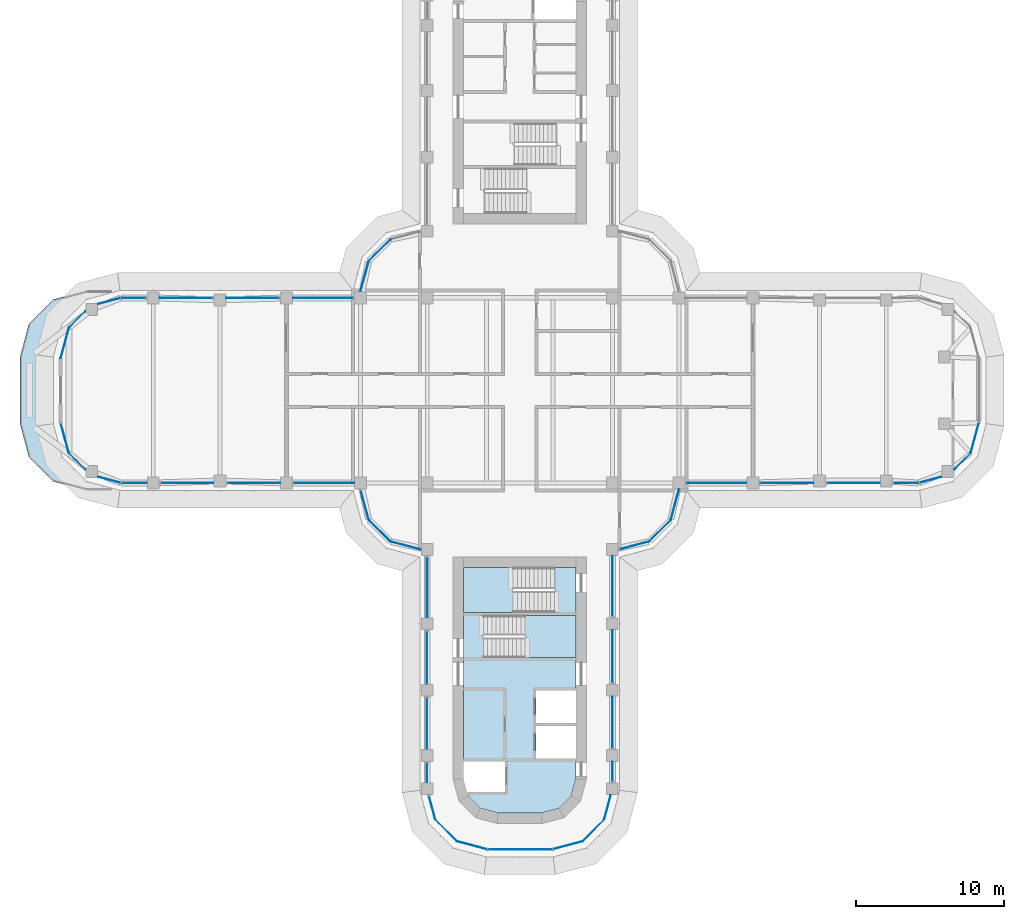
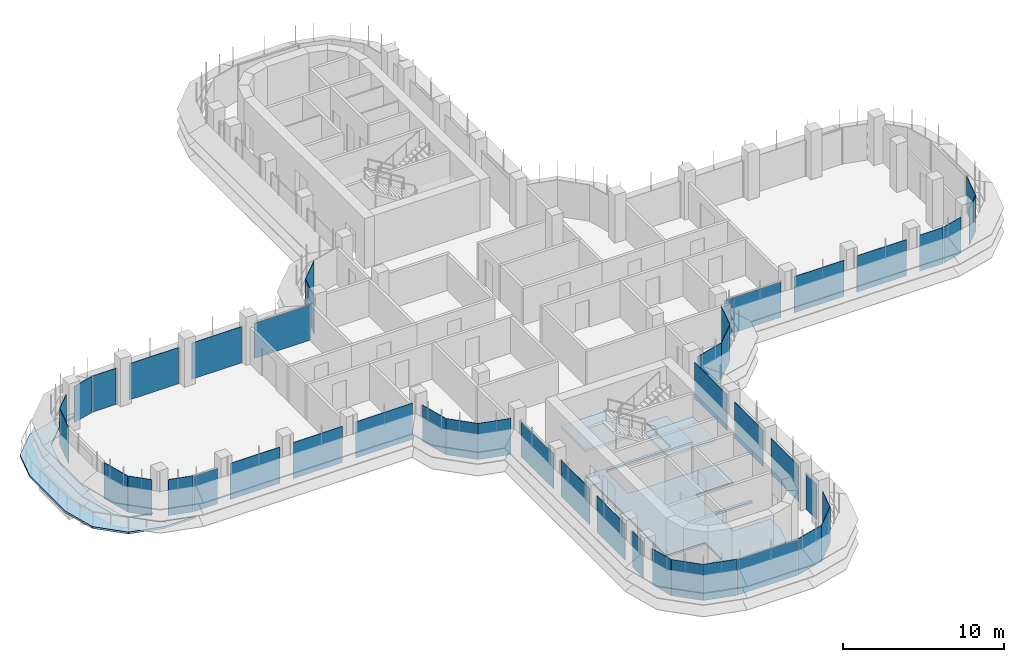
# One storey, part 12 of 20: 44 plates, 4 slabs, 31 elements without a shape of their own.
"""IFC4 building model written with IfcOpenShell, lengths in metres."""

import ifcopenshell
import ifcopenshell.guid

model = None  # the IFC model being written
_history = None  # IfcOwnerHistory: only IFC2X3 demands one
_inside = {}  # id of a spatial element -> (the spatial element, [elements in it])
_under = {}  # id of a project, library or spatial element -> (it, [spatial elements below it])
_declared = {}  # id of a project -> (the project, [libraries it declares])
_typed = {}  # id of a type object -> (the type object, [elements of that type])
_made_of = {}  # id of a material, layer set ... -> (it, [elements and type objects made of it])


def new_model(schema):
    """Start an empty IFC model of exactly this schema.

    Asked for "IFC4X3", IfcOpenShell would pick the latest addendum, in which some entities
    have other attributes; the version numbers below select the first issue.
    IFC2X3 requires an IfcOwnerHistory on every rooted entity: one is made here for all.
    """
    global model, _history
    if schema == "IFC4X3":
        model = ifcopenshell.file(schema_version=(4, 3, 0, 0))
    else:
        model = ifcopenshell.file(schema=schema)
    _inside.clear()
    _under.clear()
    _declared.clear()
    _typed.clear()
    _made_of.clear()
    _history = None
    if model.schema == "IFC2X3":
        org = make("IfcOrganization", Name="unknown")
        user = make(
            "IfcPersonAndOrganization",
            ThePerson=make("IfcPerson", FamilyName="unknown"),
            TheOrganization=org,
        )
        app = make(
            "IfcApplication",
            ApplicationDeveloper=org,
            Version="unknown",
            ApplicationFullName="unknown",
            ApplicationIdentifier="unknown",
        )
        _history = make(
            "IfcOwnerHistory",
            OwningUser=user,
            OwningApplication=app,
            ChangeAction="ADDED",
            CreationDate=0,
        )
    return model


def make(cls, **values):
    """One entity of the class cls with the attributes given. An attribute that is None is left unset."""
    return model.create_entity(
        cls, **{name: value for name, value in values.items() if value is not None}
    )


def rooted(cls, **values):
    """An entity with a GlobalId (a new one), such as an element, a storey or a relation."""
    return make(cls, GlobalId=ifcopenshell.guid.new(), OwnerHistory=_history, **values)


def si_unit(unit_type, name, prefix=None):
    """IfcSIUnit, for example si_unit("LENGTHUNIT", "METRE", prefix="MILLI")."""
    return make("IfcSIUnit", UnitType=unit_type, Prefix=prefix, Name=name)


def assignment(units):
    """IfcUnitAssignment: the units of a project."""
    return None if units is None else make("IfcUnitAssignment", Units=units)


def point(xyz):
    """IfcCartesianPoint."""
    return None if xyz is None else make("IfcCartesianPoint", Coordinates=xyz)


def direction(xyz):
    """IfcDirection."""
    return None if xyz is None else make("IfcDirection", DirectionRatios=xyz)


def frame(location, z_axis=None, x_axis=None):
    """IfcAxis2Placement3D, a coordinate frame: its origin and axes. An axis left out is left unset."""
    return make(
        "IfcAxis2Placement3D",
        Location=point(location),
        Axis=direction(z_axis),
        RefDirection=direction(x_axis),
    )


def origin():
    """The frame at (0, 0, 0) with its axes left unset."""
    return frame((0.0, 0.0, 0.0))


def place(relative_to, where):
    """IfcLocalPlacement: puts the frame where relative to a parent placement (None: the world)."""
    return make(
        "IfcLocalPlacement", PlacementRelTo=relative_to, RelativePlacement=where
    )


def context(
    kind, dimensions, precision=None, world=None, true_north=None, identifier=None
):
    """IfcGeometricRepresentationContext, for example the 3D "Model" context."""
    return make(
        "IfcGeometricRepresentationContext",
        ContextIdentifier=identifier,
        ContextType=kind,
        CoordinateSpaceDimension=dimensions,
        Precision=precision,
        WorldCoordinateSystem=world,
        TrueNorth=true_north,
    )


def subcontext(parent, identifier, kind, view, scale=None):
    """IfcGeometricRepresentationSubContext, for example "Body" below "Model"."""
    return make(
        "IfcGeometricRepresentationSubContext",
        ContextIdentifier=identifier,
        ContextType=kind,
        ParentContext=parent,
        TargetScale=scale,
        TargetView=view,
    )


def project(units=None, contexts=None):
    """IfcProject with its units and contexts."""
    return rooted(
        "IfcProject",
        Name="project",
        RepresentationContexts=contexts,
        UnitsInContext=assignment(units),
    )


def spatial(cls, under=None, at=None, **own):
    """A site, building, storey or space (cls), placed at a placement, below another one or the project."""
    s = rooted(cls, ObjectPlacement=at, **own)
    if under is not None:
        _under.setdefault(under.id(), (under, []))[1].append(s)
    return s


def polyline(points):
    """IfcPolyline through the points."""
    return make("IfcPolyline", Points=[point(p) for p in points])


def outline(outer, holes=None, kind="AREA"):
    """IfcArbitraryClosedProfileDef: a profile drawn as a closed curve; with holes, ...WithVoids."""
    if holes is None:
        return make("IfcArbitraryClosedProfileDef", ProfileType=kind, OuterCurve=outer)
    return make(
        "IfcArbitraryProfileDefWithVoids",
        ProfileType=kind,
        OuterCurve=outer,
        InnerCurves=holes,
    )


def extrude(swept, where, along, depth):
    """IfcExtrudedAreaSolid: the profile swept, set in the frame where, extruded along a direction by depth."""
    return make(
        "IfcExtrudedAreaSolid",
        SweptArea=swept,
        Position=where,
        ExtrudedDirection=direction(along),
        Depth=depth,
    )


def shape(context_of_items, identifier, shape_type, items):
    """IfcShapeRepresentation: the items that make up one representation, for example the "Body"."""
    return make(
        "IfcShapeRepresentation",
        ContextOfItems=context_of_items,
        RepresentationIdentifier=identifier,
        RepresentationType=shape_type,
        Items=items,
    )


def source(mapping_origin, context_of_items, identifier, shape_type, items):
    """IfcRepresentationMap: a shape defined once, which mapped items show again and again."""
    return make(
        "IfcRepresentationMap",
        MappingOrigin=mapping_origin,
        MappedRepresentation=shape(context_of_items, identifier, shape_type, items),
    )


def transform(
    local_origin,
    x_axis=None,
    y_axis=None,
    z_axis=None,
    scale=None,
    scale2=None,
    scale3=None,
    uniform=True,
):
    """IfcCartesianTransformationOperator3D, or its non-uniform kind. x_axis, y_axis, z_axis: its Axis1, 2, 3."""
    if uniform:
        return make(
            "IfcCartesianTransformationOperator3D",
            Axis1=direction(x_axis),
            Axis2=direction(y_axis),
            LocalOrigin=point(local_origin),
            Scale=scale,
            Axis3=direction(z_axis),
        )
    return make(
        "IfcCartesianTransformationOperator3DnonUniform",
        Axis1=direction(x_axis),
        Axis2=direction(y_axis),
        LocalOrigin=point(local_origin),
        Scale=scale,
        Axis3=direction(z_axis),
        Scale2=scale2,
        Scale3=scale3,
    )


def mapped(mapping_source, mapping_target):
    """IfcMappedItem: shows the shape of a source again, moved by a transform."""
    return make(
        "IfcMappedItem", MappingSource=mapping_source, MappingTarget=mapping_target
    )


def material(Name=None, Category=None):
    """IfcMaterial."""
    return make("IfcMaterial", Name=Name, Category=Category)


def layer(
    of_material, thickness, ventilated=None, Name=None, Category=None, Priority=None
):
    """IfcMaterialLayer: one layer of a wall or slab, of a material (None: an air gap)."""
    return make(
        "IfcMaterialLayer",
        Material=of_material,
        LayerThickness=thickness,
        IsVentilated=ventilated,
        Name=Name,
        Category=Category,
        Priority=Priority,
    )


def layer_set(layers, Name=None):
    """IfcMaterialLayerSet."""
    return make("IfcMaterialLayerSet", MaterialLayers=layers, LayerSetName=Name)


def made_of(thing, what):
    """Note that an element or type object is made of a material, layer set ...; save() writes the relation."""
    if what is not None:
        _made_of.setdefault(what.id(), (what, []))[1].append(thing)
    return thing


def type_object(cls, material=None, **own):
    """A type object (cls), such as IfcWallType, which elements share."""
    return made_of(rooted(cls, **own), material)


def element(
    cls,
    number,
    at=None,
    inside=None,
    cuts=None,
    type_object=None,
    material=None,
    context=None,
    identifier="Body",
    shape_type=None,
    held_by="IfcProductDefinitionShape",
    body=None,
    shapes=None,
    **own,
):
    """One element of the class cls, such as IfcWall. Its Tag is "e" and its number.

    at: its placement. inside: the storey or other place that contains it. cuts: it is an
    opening in that element (IfcRelVoidsElement). A single representation is given by context,
    identifier, shape_type and body (its items); several are given by shapes. held_by: the class
    of the entity that holds the representations. save() writes the other relations.
    """
    e = rooted(cls, Tag="e%d" % number, ObjectPlacement=at, **own)
    if body is not None:
        shapes = [shape(context, identifier, shape_type, body)]
    if shapes is not None:
        e.Representation = make(held_by, Representations=shapes)
    if inside is not None:
        _inside.setdefault(inside.id(), (inside, []))[1].append(e)
    if cuts is not None:
        rooted(
            "IfcRelVoidsElement", RelatingBuildingElement=cuts, RelatedOpeningElement=e
        )
    if type_object is not None:
        _typed.setdefault(type_object.id(), (type_object, []))[1].append(e)
    return made_of(e, material)


def aggregate(whole, parts):
    """IfcRelAggregates: a whole, such as a stair, and the parts it consists of."""
    return rooted("IfcRelAggregates", RelatingObject=whole, RelatedObjects=parts)


def save(model, path):
    """Write the relations noted so far, then the file.

    IfcRelAggregates (storeys below a building ...), IfcRelContainedInSpatialStructure (elements
    in a storey), IfcRelDefinesByType, IfcRelAssociatesMaterial and IfcRelDeclares: one each for
    every whole, place, type object, material and project.
    """
    for whole, parts in _under.values():
        aggregate(whole, parts)
    for where, things in _inside.values():
        rooted(
            "IfcRelContainedInSpatialStructure",
            RelatedElements=things,
            RelatingStructure=where,
        )
    for kind, things in _typed.values():
        rooted("IfcRelDefinesByType", RelatedObjects=things, RelatingType=kind)
    for what, things in _made_of.values():
        rooted("IfcRelAssociatesMaterial", RelatedObjects=things, RelatingMaterial=what)
    for by, libraries in _declared.values():
        rooted("IfcRelDeclares", RelatingContext=by, RelatedDefinitions=libraries)
    model.write(path)


model = new_model("IFC4")

# Units and contexts
model_context = context("Model", 3, precision=1e-05, world=origin(), true_north=direction((0.0, 1.0)))
body_context = subcontext(model_context, "Body", "Model", "MODEL_VIEW")
ifc_project = project(units=[si_unit("LENGTHUNIT", "METRE"), si_unit("AREAUNIT", "SQUARE_METRE"), si_unit("VOLUMEUNIT", "CUBIC_METRE"), si_unit("PLANEANGLEUNIT", "RADIAN"), si_unit("MASSUNIT", "GRAM", prefix="KILO")], contexts=[model_context])

# Site, building, storey
site_placement = place(None, origin())
site = spatial("IfcSite", under=ifc_project, at=site_placement, CompositionType="ELEMENT")
building_placement = place(site_placement, origin())
building = spatial("IfcBuilding", under=site, at=building_placement, Name="Zarbagh Exchange Tower", CompositionType="ELEMENT")
storey_placement = place(building_placement, frame((0.0, 0.0, 186.60009765625)))
storey = spatial("IfcBuildingStorey", under=building, at=storey_placement, Name="L45", CompositionType="ELEMENT", Elevation=186.60009765625)

# Slab
ifc_material_1 = material(Name="Concrete C40/50", Category="concrete")
ifc_layer_1 = layer(ifc_material_1, 0.14990234375)
ifc_layer_set_1 = layer_set([ifc_layer_1], Name="Core floor slab 150 C40/50")
slab_type_1 = type_object("IfcSlabType", Name="Core floor slab 150 C40/50", PredefinedType="FLOOR", material=ifc_layer_set_1)
slab_1_placement = place(storey_placement, frame((0.0, 0.0, -0.150146484375)))
element("IfcSlab", 1, at=slab_1_placement, inside=storey, type_object=slab_type_1, Name="S17 core S", PredefinedType="FLOOR", context=body_context, shape_type="SweptSolid", body=[
    extrude(outline(polyline([(-2.6376953125, -28.220458984375), (-3.470458984375, -27.3876953125), (-3.800048828125, -26.15771484375), (-3.800048828125, -26.15771484375), (-3.547607421875, -27.10009765625), (-1.0, -27.10009765625), (-1.0, -25.050048828125), (-3.800048828125, -25.050048828125), (-3.800048828125, -15.0), (2.35009765625, -15.0), (2.35009765625, -11.949951171875), (3.800048828125, -11.949951171875), (3.800048828125, -15.199951171875), (-2.449951171875, -15.199951171875), (-2.449951171875, -18.050048828125), (3.800048828125, -18.050048828125), (3.800048828125, -20.25), (1.10009765625, -20.25), (1.10009765625, -22.449951171875), (3.800048828125, -22.449951171875), (3.800048828125, -22.64990234375), (1.10009765625, -22.64990234375), (1.10009765625, -24.85009765625), (3.800048828125, -24.85009765625), (3.800048828125, -26.15771484375), (3.470458984375, -27.3876953125), (2.6376953125, -28.220458984375), (1.40771484375, -28.550048828125), (-1.40771484375, -28.550048828125), (-2.6376953125, -28.220458984375)])), origin(), (0.0, 0.0, 1.0), 0.150146484375),
])

# Stair, slab
stair_type = type_object("IfcStairType", Name="Exit stair two-flight half-turn", PredefinedType="HALF_TURN_STAIR", material=ifc_material_1)
stair_1_placement = place(storey_placement, origin())
stair_1 = element("IfcStair", 2, at=stair_1_placement, inside=storey, type_object=stair_type, Name="exit stair ST3", PredefinedType="HALF_TURN_STAIR")
ifc_layer_2 = layer(ifc_material_1, 0.199951171875)
ifc_layer_set_2 = layer_set([ifc_layer_2], Name="Stair landing 200 mm")
slab_type_2 = type_object("IfcSlabType", Name="Stair landing 200 mm", PredefinedType="LANDING", material=ifc_layer_set_2)
slab_2_placement = place(storey_placement, frame((0.0, 0.0, 1.699951171875)))
slab_2 = element("IfcSlab", 3, at=slab_2_placement, type_object=slab_type_2, Name="ST3 landing 1", PredefinedType="LANDING", context=body_context, shape_type="SweptSolid", body=[
    extrude(outline(polyline([(0.35009765625, -18.050048828125), (3.800048828125, -18.050048828125), (3.800048828125, -15.199951171875), (0.35009765625, -15.199951171875), (0.35009765625, -18.050048828125)])), origin(), (0.0, 0.0, 1.0), 0.199951171875),
])
aggregate(stair_1, [slab_2])

stair_2_placement = place(storey_placement, origin())
stair_2 = element("IfcStair", 4, at=stair_2_placement, inside=storey, type_object=stair_type, Name="exit stair ST4", PredefinedType="HALF_TURN_STAIR")
slab_3_placement = place(storey_placement, frame((0.0, 0.0, 1.699951171875)))
slab_3 = element("IfcSlab", 5, at=slab_3_placement, type_object=slab_type_2, Name="ST4 landing 1", PredefinedType="LANDING", context=body_context, shape_type="SweptSolid", body=[
    extrude(outline(polyline([(-0.449951171875, -11.949951171875), (-3.800048828125, -11.949951171875), (-3.800048828125, -15.0), (-0.449951171875, -15.0), (-0.449951171875, -11.949951171875)])), origin(), (0.0, 0.0, 1.0), 0.199951171875),
])
aggregate(stair_2, [slab_3])

# Slab
ifc_layer_3 = layer(ifc_material_1, 0.14990234375)
ifc_layer_set_3 = layer_set([ifc_layer_3], Name="Step terrace roof slab 150 C40/50")
slab_type_3 = type_object("IfcSlabType", Name="Step terrace roof slab 150 C40/50", PredefinedType="ROOF", material=ifc_layer_set_3)
slab_4_placement = place(storey_placement, frame((0.0, 0.0, -0.150146484375)))
element("IfcSlab", 6, at=slab_4_placement, inside=storey, type_object=slab_type_3, Name="S10 step terrace roof slab", PredefinedType="ROOF", context=body_context, shape_type="SweptSolid", body=[
    extrude(outline(polyline([(-29.25, -6.75), (-31.5, -6.147216796875), (-33.147216796875, -4.5), (-33.75, -2.25), (-33.75, 2.25), (-33.147216796875, 4.5), (-31.5, 6.147216796875), (-29.25, 6.75), (-27.0, 6.75), (-29.25, 6.147216796875), (-30.897216796875, 4.5), (-31.5, 2.25), (-31.5, -2.25), (-30.897216796875, -4.5), (-29.25, -6.147216796875), (-27.0, -6.75), (-29.25, -6.75)])), origin(), (0.0, 0.0, 1.0), 0.150146484375),
])

# Curtain wall, plate
ifc_material_2 = material(Name="Anodised aluminium frame and glazing", Category="aluminium")
curtain_wall_type = type_object("IfcCurtainWallType", Name="CWB Ribbon glazing, upper zones", PredefinedType="NOTDEFINED", material=ifc_material_2)
curtain_wall_1_placement = place(storey_placement, origin())
curtain_wall_1 = element("IfcCurtainWall", 7, at=curtain_wall_1_placement, inside=storey, type_object=curtain_wall_type, Name="CWB50 curtain wall", PredefinedType="NOTDEFINED")
ifc_material_3 = material(Name="Low-e double glazed unit, 6+12+6 mm")
ifc_layer_4 = layer(ifc_material_3, 0.031982421875)
ifc_layer_set_4 = layer_set([ifc_layer_4], Name="PAB Glazing panel, Low-e double glazed unit, 6+12+6 mm")
plate_type = type_object("IfcPlateType", Name="PAB Glazing panel, Low-e double glazed unit, 6+12+6 mm", PredefinedType="CURTAIN_PANEL", material=ifc_layer_set_4)
shared_shape_1 = source(origin(), body_context, "Body", "SweptSolid", [
    extrude(outline(polyline([(0.0, -0.01611328125), (2.061279296875, -0.01611328125), (2.061279296875, 0.01611328125), (0.0, 0.01611328125), (0.0, -0.01611328125)])), origin(), (0.0, 0.0, 1.0), 2.75),
])
placement = place(storey_placement, origin())
plate_1 = element("IfcPlate", 8, at=placement, type_object=plate_type, Name="CWB50 glazing panel 1.1", PredefinedType="CURTAIN_PANEL", context=body_context, shape_type="MappedRepresentation", body=[
    mapped(shared_shape_1, transform((4.2412109375, -30.44873046875, 0.0), x_axis=(0.707106781187, 0.707106781187, 0.0), y_axis=(-0.707106781187, 0.707106781187, 0.0), z_axis=(0.0, 0.0, 1.0))),
])
aggregate(curtain_wall_1, [plate_1])

curtain_wall_2_placement = place(storey_placement, origin())
curtain_wall_2 = element("IfcCurtainWall", 9, at=curtain_wall_2_placement, inside=storey, type_object=curtain_wall_type, Name="CWB06 curtain wall", PredefinedType="NOTDEFINED")
plate_2 = element("IfcPlate", 10, at=placement, type_object=plate_type, Name="CWB06 glazing panel 1.1", PredefinedType="CURTAIN_PANEL", context=body_context, shape_type="MappedRepresentation", body=[
    mapped(shared_shape_1, transform((8.7412109375, -10.19873046875, 0.0), x_axis=(0.707106781187, 0.707106781187, 0.0), y_axis=(-0.707106781187, 0.707106781187, 0.0), z_axis=(0.0, 0.0, 1.0))),
])
aggregate(curtain_wall_2, [plate_2])

curtain_wall_3_placement = place(storey_placement, origin())
curtain_wall_3 = element("IfcCurtainWall", 11, at=curtain_wall_3_placement, inside=storey, type_object=curtain_wall_type, Name="CWB30 curtain wall", PredefinedType="NOTDEFINED")
plate_3 = element("IfcPlate", 12, at=placement, type_object=plate_type, Name="CWB30 glazing panel 1.1", PredefinedType="CURTAIN_PANEL", context=body_context, shape_type="MappedRepresentation", body=[
    mapped(shared_shape_1, transform((-8.7412109375, 10.19873046875, 0.0), x_axis=(-0.707106781187, -0.707106781187, 0.0), y_axis=(0.707106781187, -0.707106781187, 0.0), z_axis=(0.0, 0.0, 1.0))),
])
aggregate(curtain_wall_3, [plate_3])

curtain_wall_4_placement = place(storey_placement, origin())
curtain_wall_4 = element("IfcCurtainWall", 13, at=curtain_wall_4_placement, inside=storey, type_object=curtain_wall_type, Name="CWB42 curtain wall", PredefinedType="NOTDEFINED")
plate_4 = element("IfcPlate", 14, at=placement, type_object=plate_type, Name="CWB42 glazing panel 1.1", PredefinedType="CURTAIN_PANEL", context=body_context, shape_type="MappedRepresentation", body=[
    mapped(shared_shape_1, transform((-10.19873046875, -8.7412109375, 0.0), x_axis=(0.707106781187, -0.707106781187, 0.0), y_axis=(0.707106781187, 0.707106781187, 0.0), z_axis=(0.0, 0.0, 1.0))),
])
aggregate(curtain_wall_4, [plate_4])

curtain_wall_5_placement = place(storey_placement, origin())
curtain_wall_5 = element("IfcCurtainWall", 15, at=curtain_wall_5_placement, inside=storey, type_object=curtain_wall_type, Name="CWB55 curtain wall", PredefinedType="NOTDEFINED")
plate_5 = element("IfcPlate", 16, at=placement, type_object=plate_type, Name="CWB55 glazing panel 1.1", PredefinedType="CURTAIN_PANEL", context=body_context, shape_type="MappedRepresentation", body=[
    mapped(shared_shape_1, transform((-5.69873046875, -28.9912109375, 0.0), x_axis=(0.707106781187, -0.707106781187, 0.0), y_axis=(0.707106781187, 0.707106781187, 0.0), z_axis=(0.0, 0.0, 1.0))),
])
aggregate(curtain_wall_5, [plate_5])

curtain_wall_6_placement = place(storey_placement, origin())
curtain_wall_6 = element("IfcCurtainWall", 17, at=curtain_wall_6_placement, inside=storey, type_object=curtain_wall_type, Name="CWB11 curtain wall", PredefinedType="NOTDEFINED")
shared_shape_2 = source(origin(), body_context, "Body", "SweptSolid", [
    extrude(outline(polyline([(0.0, -0.01611328125), (2.129638671875, -0.01611328125), (2.129638671875, 0.01611328125), (0.0, 0.01611328125), (0.0, -0.01611328125)])), origin(), (0.0, 0.0, 1.0), 2.75),
])
plate_6 = element("IfcPlate", 18, at=placement, type_object=plate_type, Name="CWB11 glazing panel 1.1", PredefinedType="CURTAIN_PANEL", context=body_context, shape_type="MappedRepresentation", body=[
    mapped(shared_shape_2, transform((30.44873046875, -4.2412109375, 0.0), x_axis=(0.258824779902, 0.965924289636, 0.0), y_axis=(-0.965924289636, 0.258824779902, 0.0), z_axis=(0.0, 0.0, 1.0))),
])
aggregate(curtain_wall_6, [plate_6])

curtain_wall_7_placement = place(storey_placement, origin())
curtain_wall_7 = element("IfcCurtainWall", 19, at=curtain_wall_7_placement, inside=storey, type_object=curtain_wall_type, Name="CWB61 curtain wall", PredefinedType="NOTDEFINED")
plate_7 = element("IfcPlate", 20, at=placement, type_object=plate_type, Name="CWB61 glazing panel 1.1", PredefinedType="CURTAIN_PANEL", context=body_context, shape_type="MappedRepresentation", body=[
    mapped(shared_shape_2, transform((-30.44873046875, 4.2412109375, 0.0), x_axis=(-0.258824779902, -0.965924289636, 0.0), y_axis=(0.965924289636, -0.258824779902, 0.0), z_axis=(0.0, 0.0, 1.0))),
])
aggregate(curtain_wall_7, [plate_7])

curtain_wall_8_placement = place(storey_placement, origin())
curtain_wall_8 = element("IfcCurtainWall", 21, at=curtain_wall_8_placement, inside=storey, type_object=curtain_wall_type, Name="CWB56 curtain wall", PredefinedType="NOTDEFINED")
plate_8 = element("IfcPlate", 22, at=placement, type_object=plate_type, Name="CWB56 glazing panel 1.1", PredefinedType="CURTAIN_PANEL", context=body_context, shape_type="MappedRepresentation", body=[
    mapped(shared_shape_2, transform((-4.2412109375, -30.44873046875, 0.0), x_axis=(0.965924289636, -0.258824779902, 0.0), y_axis=(0.258824779902, 0.965924289636, 0.0), z_axis=(0.0, 0.0, 1.0))),
])
aggregate(curtain_wall_8, [plate_8])

curtain_wall_9_placement = place(storey_placement, origin())
curtain_wall_9 = element("IfcCurtainWall", 23, at=curtain_wall_9_placement, inside=storey, type_object=curtain_wall_type, Name="CWB53 curtain wall", PredefinedType="NOTDEFINED")
shared_shape_3 = source(origin(), body_context, "Body", "SweptSolid", [
    extrude(outline(polyline([(0.0, -0.01611328125), (1.31005859375, -0.01611328125), (1.31005859375, 0.01611328125), (0.0, 0.01611328125), (0.0, -0.01611328125)])), origin(), (0.0, 0.0, 1.0), 2.75),
])
plate_9 = element("IfcPlate", 24, at=placement, type_object=plate_type, Name="CWB53 glazing panel 4.1", PredefinedType="CURTAIN_PANEL", context=body_context, shape_type="MappedRepresentation", body=[
    mapped(shared_shape_3, transform((-6.25, -25.150146484375, 0.0), x_axis=(0.0, -1.0, 0.0), y_axis=(1.0, 0.0, 0.0), z_axis=(0.0, 0.0, 1.0))),
])

curtain_wall_10_placement = place(storey_placement, origin())
curtain_wall_10 = element("IfcCurtainWall", 25, at=curtain_wall_10_placement, inside=storey, type_object=curtain_wall_type, Name="CWB52 curtain wall", PredefinedType="NOTDEFINED")
shared_shape_4 = source(origin(), body_context, "Body", "SweptSolid", [
    extrude(outline(polyline([(0.0, -0.01611328125), (3.4599609375, -0.01611328125), (3.4599609375, 0.01611328125), (0.0, 0.01611328125), (0.0, -0.01611328125)])), origin(), (0.0, 0.0, 1.0), 2.75),
])
plate_10 = element("IfcPlate", 26, at=placement, type_object=plate_type, Name="CWB52 glazing panel 2.1", PredefinedType="CURTAIN_PANEL", context=body_context, shape_type="MappedRepresentation", body=[
    mapped(shared_shape_4, transform((6.25, -24.14990234375, 0.0), x_axis=(0.0, 1.0, 0.0), y_axis=(-1.0, 0.0, 0.0), z_axis=(0.0, 0.0, 1.0))),
])

# Plate
plate_11 = element("IfcPlate", 27, at=placement, type_object=plate_type, Name="CWB53 glazing panel 3.1", PredefinedType="CURTAIN_PANEL", context=body_context, shape_type="MappedRepresentation", body=[
    mapped(shared_shape_4, transform((-6.25, -20.75, 0.0), x_axis=(0.0, -1.0, 0.0), y_axis=(1.0, 0.0, 0.0), z_axis=(0.0, 0.0, 1.0))),
])

shared_shape_5 = source(origin(), body_context, "Body", "SweptSolid", [
    extrude(outline(polyline([(0.0, -0.01611328125), (3.56005859375, -0.01611328125), (3.56005859375, 0.01611328125), (0.0, 0.01611328125), (0.0, -0.01611328125)])), origin(), (0.0, 0.0, 1.0), 2.75),
])
plate_12 = element("IfcPlate", 28, at=placement, type_object=plate_type, Name="CWB52 glazing panel 3.1", PredefinedType="CURTAIN_PANEL", context=body_context, shape_type="MappedRepresentation", body=[
    mapped(shared_shape_5, transform((6.25, -19.75, 0.0), x_axis=(0.0, 1.0, 0.0), y_axis=(-1.0, 0.0, 0.0), z_axis=(0.0, 0.0, 1.0))),
])

# Curtain wall, plates
curtain_wall_11_placement = place(storey_placement, origin())
curtain_wall_11 = element("IfcCurtainWall", 29, at=curtain_wall_11_placement, inside=storey, type_object=curtain_wall_type, Name="CWB08 curtain wall", PredefinedType="NOTDEFINED")
plate_13 = element("IfcPlate", 30, at=placement, type_object=plate_type, Name="CWB08 glazing panel 2.1", PredefinedType="CURTAIN_PANEL", context=body_context, shape_type="MappedRepresentation", body=[
    mapped(shared_shape_5, transform((16.25, -6.25, 0.0), x_axis=(1.0, 0.0, 0.0), y_axis=(0.0, 1.0, 0.0), z_axis=(0.0, 0.0, 1.0))),
])
plate_14 = element("IfcPlate", 31, at=placement, type_object=plate_type, Name="CWB08 glazing panel 3.1", PredefinedType="CURTAIN_PANEL", context=body_context, shape_type="MappedRepresentation", body=[
    mapped(shared_shape_5, transform((20.75, -6.25, 0.0), x_axis=(1.0, 0.0, 0.0), y_axis=(0.0, 1.0, 0.0), z_axis=(0.0, 0.0, 1.0))),
])

curtain_wall_12_placement = place(storey_placement, origin())
curtain_wall_12 = element("IfcCurtainWall", 32, at=curtain_wall_12_placement, inside=storey, type_object=curtain_wall_type, Name="CWB58 curtain wall", PredefinedType="NOTDEFINED")
plate_15 = element("IfcPlate", 33, at=placement, type_object=plate_type, Name="CWB58 glazing panel 2.1", PredefinedType="CURTAIN_PANEL", context=body_context, shape_type="MappedRepresentation", body=[
    mapped(shared_shape_5, transform((-16.25, 6.25, 0.0), x_axis=(-1.0, 0.0, 0.0), y_axis=(0.0, -1.0, 0.0), z_axis=(0.0, 0.0, 1.0))),
])
plate_16 = element("IfcPlate", 34, at=placement, type_object=plate_type, Name="CWB58 glazing panel 3.1", PredefinedType="CURTAIN_PANEL", context=body_context, shape_type="MappedRepresentation", body=[
    mapped(shared_shape_5, transform((-20.75, 6.25, 0.0), x_axis=(-1.0, 0.0, 0.0), y_axis=(0.0, -1.0, 0.0), z_axis=(0.0, 0.0, 1.0))),
])

curtain_wall_13_placement = place(storey_placement, origin())
curtain_wall_13 = element("IfcCurtainWall", 35, at=curtain_wall_13_placement, inside=storey, type_object=curtain_wall_type, Name="CWB65 curtain wall", PredefinedType="NOTDEFINED")
plate_17 = element("IfcPlate", 36, at=placement, type_object=plate_type, Name="CWB65 glazing panel 2.1", PredefinedType="CURTAIN_PANEL", context=body_context, shape_type="MappedRepresentation", body=[
    mapped(shared_shape_5, transform((-24.25, -6.25, 0.0), x_axis=(1.0, 0.0, 0.0), y_axis=(0.0, 1.0, 0.0), z_axis=(0.0, 0.0, 1.0))),
])
plate_18 = element("IfcPlate", 37, at=placement, type_object=plate_type, Name="CWB65 glazing panel 3.1", PredefinedType="CURTAIN_PANEL", context=body_context, shape_type="MappedRepresentation", body=[
    mapped(shared_shape_5, transform((-19.75, -6.25, 0.0), x_axis=(1.0, 0.0, 0.0), y_axis=(0.0, 1.0, 0.0), z_axis=(0.0, 0.0, 1.0))),
])

# Plate
plate_19 = element("IfcPlate", 38, at=placement, type_object=plate_type, Name="CWB53 glazing panel 2.1", PredefinedType="CURTAIN_PANEL", context=body_context, shape_type="MappedRepresentation", body=[
    mapped(shared_shape_5, transform((-6.25, -16.25, 0.0), x_axis=(0.0, -1.0, 0.0), y_axis=(1.0, 0.0, 0.0), z_axis=(0.0, 0.0, 1.0))),
])

shared_shape_6 = source(origin(), body_context, "Body", "SweptSolid", [
    extrude(outline(polyline([(0.0, -0.01611328125), (4.06005859375, -0.01611328125), (4.06005859375, 0.01611328125), (0.0, 0.01611328125), (0.0, -0.01611328125)])), origin(), (0.0, 0.0, 1.0), 2.75),
])
plate_20 = element("IfcPlate", 39, at=placement, type_object=plate_type, Name="CWB52 glazing panel 4.1", PredefinedType="CURTAIN_PANEL", context=body_context, shape_type="MappedRepresentation", body=[
    mapped(shared_shape_6, transform((6.25, -15.25, 0.0), x_axis=(0.0, 1.0, 0.0), y_axis=(-1.0, 0.0, 0.0), z_axis=(0.0, 0.0, 1.0))),
])

plate_21 = element("IfcPlate", 40, at=placement, type_object=plate_type, Name="CWB65 glazing panel 4.1", PredefinedType="CURTAIN_PANEL", context=body_context, shape_type="MappedRepresentation", body=[
    mapped(shared_shape_6, transform((-15.25, -6.25, 0.0), x_axis=(1.0, 0.0, 0.0), y_axis=(0.0, 1.0, 0.0), z_axis=(0.0, 0.0, 1.0))),
])

# Curtain wall, plate
curtain_wall_14_placement = place(storey_placement, origin())
curtain_wall_14 = element("IfcCurtainWall", 41, at=curtain_wall_14_placement, inside=storey, type_object=curtain_wall_type, Name="CWB05 curtain wall", PredefinedType="NOTDEFINED")
shared_shape_7 = source(origin(), body_context, "Body", "SweptSolid", [
    extrude(outline(polyline([(0.0, -0.01611328125), (2.063720703125, -0.01611328125), (2.063720703125, 0.01611328125), (0.0, 0.01611328125), (0.0, -0.01611328125)])), origin(), (0.0, 0.0, 1.0), 2.75),
])
plate_22 = element("IfcPlate", 42, at=placement, type_object=plate_type, Name="CWB05 glazing panel 1.1", PredefinedType="CURTAIN_PANEL", context=body_context, shape_type="MappedRepresentation", body=[
    mapped(shared_shape_7, transform((6.748046875, -10.73291015625, 0.0), x_axis=(0.965924289636, 0.258824779902, 0.0), y_axis=(-0.258824779902, 0.965924289636, 0.0), z_axis=(0.0, 0.0, 1.0))),
])
aggregate(curtain_wall_14, [plate_22])

curtain_wall_15_placement = place(storey_placement, origin())
curtain_wall_15 = element("IfcCurtainWall", 43, at=curtain_wall_15_placement, inside=storey, type_object=curtain_wall_type, Name="CWB41 curtain wall", PredefinedType="NOTDEFINED")
plate_23 = element("IfcPlate", 44, at=placement, type_object=plate_type, Name="CWB41 glazing panel 1.1", PredefinedType="CURTAIN_PANEL", context=body_context, shape_type="MappedRepresentation", body=[
    mapped(shared_shape_7, transform((-10.73291015625, -6.748046875, 0.0), x_axis=(0.258824779902, -0.965924289636, 0.0), y_axis=(0.965924289636, 0.258824779902, 0.0), z_axis=(0.0, 0.0, 1.0))),
])
aggregate(curtain_wall_15, [plate_23])

curtain_wall_16_placement = place(storey_placement, origin())
curtain_wall_16 = element("IfcCurtainWall", 45, at=curtain_wall_16_placement, inside=storey, type_object=curtain_wall_type, Name="CWB07 curtain wall", PredefinedType="NOTDEFINED")
shared_shape_8 = source(origin(), body_context, "Body", "SweptSolid", [
    extrude(outline(polyline([(0.0, -0.01611328125), (2.12353515625, -0.01611328125), (2.12353515625, 0.01611328125), (0.0, 0.01611328125), (0.0, -0.01611328125)])), origin(), (0.0, 0.0, 1.0), 2.75),
])
plate_24 = element("IfcPlate", 46, at=placement, type_object=plate_type, Name="CWB07 glazing panel 1.1", PredefinedType="CURTAIN_PANEL", context=body_context, shape_type="MappedRepresentation", body=[
    mapped(shared_shape_8, transform((10.19873046875, -8.7412109375, 0.0), x_axis=(0.258824779902, 0.965924289636, 0.0), y_axis=(-0.965924289636, 0.258824779902, 0.0), z_axis=(0.0, 0.0, 1.0))),
])
aggregate(curtain_wall_16, [plate_24])

curtain_wall_17_placement = place(storey_placement, origin())
curtain_wall_17 = element("IfcCurtainWall", 47, at=curtain_wall_17_placement, inside=storey, type_object=curtain_wall_type, Name="CWB31 curtain wall", PredefinedType="NOTDEFINED")
plate_25 = element("IfcPlate", 48, at=placement, type_object=plate_type, Name="CWB31 glazing panel 1.1", PredefinedType="CURTAIN_PANEL", context=body_context, shape_type="MappedRepresentation", body=[
    mapped(shared_shape_8, transform((-10.19873046875, 8.7412109375, 0.0), x_axis=(-0.258824779902, -0.965924289636, 0.0), y_axis=(0.965924289636, -0.258824779902, 0.0), z_axis=(0.0, 0.0, 1.0))),
])
aggregate(curtain_wall_17, [plate_25])

curtain_wall_18_placement = place(storey_placement, origin())
curtain_wall_18 = element("IfcCurtainWall", 49, at=curtain_wall_18_placement, inside=storey, type_object=curtain_wall_type, Name="CWB43 curtain wall", PredefinedType="NOTDEFINED")
plate_26 = element("IfcPlate", 50, at=placement, type_object=plate_type, Name="CWB43 glazing panel 1.1", PredefinedType="CURTAIN_PANEL", context=body_context, shape_type="MappedRepresentation", body=[
    mapped(shared_shape_8, transform((-8.7412109375, -10.19873046875, 0.0), x_axis=(0.965924289636, -0.258824779902, 0.0), y_axis=(0.258824779902, 0.965924289636, 0.0), z_axis=(0.0, 0.0, 1.0))),
])
aggregate(curtain_wall_18, [plate_26])

# Plate
shared_shape_9 = source(origin(), body_context, "Body", "SweptSolid", [
    extrude(outline(polyline([(0.0, -0.01611328125), (4.06005859375, -0.01611328125), (4.06005859375, 0.01611328125), (0.0, 0.01611328125), (0.0, -0.01611328125)])), origin(), (0.0, 0.0, 1.0), 2.68994140625),
])
plate_27 = element("IfcPlate", 51, at=placement, type_object=plate_type, Name="CWB08 glazing panel 1.1", PredefinedType="CURTAIN_PANEL", context=body_context, shape_type="MappedRepresentation", body=[
    mapped(shared_shape_9, transform((11.25, -6.25, 0.0), x_axis=(1.0, 0.0, 0.0), y_axis=(0.0, 1.0, 0.0), z_axis=(0.0, 0.0, 1.0))),
])

plate_28 = element("IfcPlate", 52, at=placement, type_object=plate_type, Name="CWB58 glazing panel 1.1", PredefinedType="CURTAIN_PANEL", context=body_context, shape_type="MappedRepresentation", body=[
    mapped(shared_shape_9, transform((-11.25, 6.25, 0.0), x_axis=(-1.0, 0.0, 0.0), y_axis=(0.0, -1.0, 0.0), z_axis=(0.0, 0.0, 1.0))),
])

plate_29 = element("IfcPlate", 53, at=placement, type_object=plate_type, Name="CWB53 glazing panel 1.1", PredefinedType="CURTAIN_PANEL", context=body_context, shape_type="MappedRepresentation", body=[
    mapped(shared_shape_9, transform((-6.25, -11.25, 0.0), x_axis=(0.0, -1.0, 0.0), y_axis=(1.0, 0.0, 0.0), z_axis=(0.0, 0.0, 1.0))),
])

aggregate(curtain_wall_9, [plate_29, plate_19, plate_11, plate_9])

shared_shape_10 = source(origin(), body_context, "Body", "SweptSolid", [
    extrude(outline(polyline([(0.0, -0.01611328125), (1.68408203125, -0.01611328125), (1.68408203125, 0.01611328125), (0.0, 0.01611328125), (0.0, -0.01611328125)])), origin(), (0.0, 0.0, 1.0), 2.75),
])
plate_30 = element("IfcPlate", 54, at=placement, type_object=plate_type, Name="CWB08 glazing panel 4.1", PredefinedType="CURTAIN_PANEL", context=body_context, shape_type="MappedRepresentation", body=[
    mapped(shared_shape_10, transform((25.25, -6.25, 0.0), x_axis=(1.0, 0.0, 0.0), y_axis=(0.0, 1.0, 0.0), z_axis=(0.0, 0.0, 1.0))),
])

aggregate(curtain_wall_11, [plate_27, plate_13, plate_14, plate_30])

plate_31 = element("IfcPlate", 55, at=placement, type_object=plate_type, Name="CWB58 glazing panel 4.1", PredefinedType="CURTAIN_PANEL", context=body_context, shape_type="MappedRepresentation", body=[
    mapped(shared_shape_10, transform((-25.25, 6.25, 0.0), x_axis=(-1.0, 0.0, 0.0), y_axis=(0.0, -1.0, 0.0), z_axis=(0.0, 0.0, 1.0))),
])

aggregate(curtain_wall_12, [plate_28, plate_15, plate_16, plate_31])

# Curtain wall, plate
curtain_wall_19_placement = place(storey_placement, origin())
curtain_wall_19 = element("IfcCurtainWall", 56, at=curtain_wall_19_placement, inside=storey, type_object=curtain_wall_type, Name="CWB09 curtain wall", PredefinedType="NOTDEFINED")
shared_shape_11 = source(origin(), body_context, "Body", "SweptSolid", [
    extrude(outline(polyline([(0.0, -0.01611328125), (1.52783203125, -0.01611328125), (1.52783203125, 0.01611328125), (0.0, 0.01611328125), (0.0, -0.01611328125)])), origin(), (0.0, 0.0, 1.0), 2.75),
])
plate_32 = element("IfcPlate", 57, at=placement, type_object=plate_type, Name="CWB09 glazing panel 1.1", PredefinedType="CURTAIN_PANEL", context=body_context, shape_type="MappedRepresentation", body=[
    mapped(shared_shape_11, transform((26.9921875, -6.234375, 0.0), x_axis=(0.965924289636, 0.258824779902, 0.0), y_axis=(-0.258824779902, 0.965924289636, 0.0), z_axis=(0.0, 0.0, 1.0))),
])
aggregate(curtain_wall_19, [plate_32])

curtain_wall_20_placement = place(storey_placement, origin())
curtain_wall_20 = element("IfcCurtainWall", 58, at=curtain_wall_20_placement, inside=storey, type_object=curtain_wall_type, Name="CWB59 curtain wall", PredefinedType="NOTDEFINED")
plate_33 = element("IfcPlate", 59, at=placement, type_object=plate_type, Name="CWB59 glazing panel 1.1", PredefinedType="CURTAIN_PANEL", context=body_context, shape_type="MappedRepresentation", body=[
    mapped(shared_shape_11, transform((-26.9921875, 6.234375, 0.0), x_axis=(-0.965924289636, -0.258824779902, 0.0), y_axis=(0.258824779902, -0.965924289636, 0.0), z_axis=(0.0, 0.0, 1.0))),
])
aggregate(curtain_wall_20, [plate_33])

curtain_wall_21_placement = place(storey_placement, origin())
curtain_wall_21 = element("IfcCurtainWall", 60, at=curtain_wall_21_placement, inside=storey, type_object=curtain_wall_type, Name="CWB10 curtain wall", PredefinedType="NOTDEFINED")
shared_shape_12 = source(origin(), body_context, "Body", "SweptSolid", [
    extrude(outline(polyline([(0.0, -0.01611328125), (1.556884765625, -0.01611328125), (1.556884765625, 0.01611328125), (0.0, 0.01611328125), (0.0, -0.01611328125)])), origin(), (0.0, 0.0, 1.0), 2.75),
])
plate_34 = element("IfcPlate", 61, at=placement, type_object=plate_type, Name="CWB10 glazing panel 1.1", PredefinedType="CURTAIN_PANEL", context=body_context, shape_type="MappedRepresentation", body=[
    mapped(shared_shape_12, transform((29.347900390625, -5.342041015625, 0.0), x_axis=(0.707106781187, 0.707106781187, 0.0), y_axis=(-0.707106781187, 0.707106781187, 0.0), z_axis=(0.0, 0.0, 1.0))),
])
aggregate(curtain_wall_21, [plate_34])

curtain_wall_22_placement = place(storey_placement, origin())
curtain_wall_22 = element("IfcCurtainWall", 62, at=curtain_wall_22_placement, inside=storey, type_object=curtain_wall_type, Name="CWB60 curtain wall", PredefinedType="NOTDEFINED")
plate_35 = element("IfcPlate", 63, at=placement, type_object=plate_type, Name="CWB60 glazing panel 1.1", PredefinedType="CURTAIN_PANEL", context=body_context, shape_type="MappedRepresentation", body=[
    mapped(shared_shape_12, transform((-29.347900390625, 5.342041015625, 0.0), x_axis=(-0.707106781187, -0.707106781187, 0.0), y_axis=(0.707106781187, -0.707106781187, 0.0), z_axis=(0.0, 0.0, 1.0))),
])
aggregate(curtain_wall_22, [plate_35])

curtain_wall_23_placement = place(storey_placement, origin())
curtain_wall_23 = element("IfcCurtainWall", 64, at=curtain_wall_23_placement, inside=storey, type_object=curtain_wall_type, Name="CWB63 curtain wall", PredefinedType="NOTDEFINED")
plate_36 = element("IfcPlate", 65, at=placement, type_object=plate_type, Name="CWB63 glazing panel 1.1", PredefinedType="CURTAIN_PANEL", context=body_context, shape_type="MappedRepresentation", body=[
    mapped(shared_shape_12, transform((-30.44873046875, -4.2412109375, 0.0), x_axis=(0.707106781187, -0.707106781187, 0.0), y_axis=(0.707106781187, 0.707106781187, 0.0), z_axis=(0.0, 0.0, 1.0))),
])
aggregate(curtain_wall_23, [plate_36])

curtain_wall_24_placement = place(storey_placement, origin())
curtain_wall_24 = element("IfcCurtainWall", 66, at=curtain_wall_24_placement, inside=storey, type_object=curtain_wall_type, Name="CWB57 curtain wall", PredefinedType="NOTDEFINED")
shared_shape_13 = source(origin(), body_context, "Body", "SweptSolid", [
    extrude(outline(polyline([(0.0, -0.01611328125), (4.308349609375, -0.01611328125), (4.308349609375, 0.01611328125), (0.0, 0.01611328125), (0.0, -0.01611328125)])), origin(), (0.0, 0.0, 1.0), 2.68994140625),
])
plate_37 = element("IfcPlate", 67, at=placement, type_object=plate_type, Name="CWB57 glazing panel 1.1", PredefinedType="CURTAIN_PANEL", context=body_context, shape_type="MappedRepresentation", body=[
    mapped(shared_shape_13, transform((-2.124267578125, -31.0, 0.0), x_axis=(1.0, 0.0, 0.0), y_axis=(0.0, 1.0, 0.0), z_axis=(0.0, 0.0, 1.0))),
])
aggregate(curtain_wall_24, [plate_37])

curtain_wall_25_placement = place(storey_placement, origin())
curtain_wall_25 = element("IfcCurtainWall", 68, at=curtain_wall_25_placement, inside=storey, type_object=curtain_wall_type, Name="CWB49 curtain wall", PredefinedType="NOTDEFINED")
shared_shape_14 = source(origin(), body_context, "Body", "SweptSolid", [
    extrude(outline(polyline([(0.0, -0.01611328125), (2.069580078125, -0.01611328125), (2.069580078125, 0.01611328125), (0.0, 0.01611328125), (0.0, -0.01611328125)])), origin(), (0.0, 0.0, 1.0), 2.75),
])
plate_38 = element("IfcPlate", 69, at=placement, type_object=plate_type, Name="CWB49 glazing panel 1.1", PredefinedType="CURTAIN_PANEL", context=body_context, shape_type="MappedRepresentation", body=[
    mapped(shared_shape_14, transform((2.2421875, -30.984375, 0.0), x_axis=(0.965924289636, 0.258824779902, 0.0), y_axis=(-0.258824779902, 0.965924289636, 0.0), z_axis=(0.0, 0.0, 1.0))),
])
aggregate(curtain_wall_25, [plate_38])

curtain_wall_26_placement = place(storey_placement, origin())
curtain_wall_26 = element("IfcCurtainWall", 70, at=curtain_wall_26_placement, inside=storey, type_object=curtain_wall_type, Name="CWB62 curtain wall", PredefinedType="NOTDEFINED")
plate_39 = element("IfcPlate", 71, at=placement, type_object=plate_type, Name="CWB62 glazing panel 1.1", PredefinedType="CURTAIN_PANEL", context=body_context, shape_type="MappedRepresentation", body=[
    mapped(shared_shape_14, transform((-30.984375, -2.2421875, 0.0), x_axis=(0.258824779902, -0.965924289636, 0.0), y_axis=(0.965924289636, 0.258824779902, 0.0), z_axis=(0.0, 0.0, 1.0))),
])
aggregate(curtain_wall_26, [plate_39])

curtain_wall_27_placement = place(storey_placement, origin())
curtain_wall_27 = element("IfcCurtainWall", 72, at=curtain_wall_27_placement, inside=storey, type_object=curtain_wall_type, Name="CWB64 curtain wall", PredefinedType="NOTDEFINED")
shared_shape_15 = source(origin(), body_context, "Body", "SweptSolid", [
    extrude(outline(polyline([(0.0, -0.01611328125), (1.587890625, -0.01611328125), (1.587890625, 0.01611328125), (0.0, 0.01611328125), (0.0, -0.01611328125)])), origin(), (0.0, 0.0, 1.0), 2.75),
])
plate_40 = element("IfcPlate", 73, at=placement, type_object=plate_type, Name="CWB64 glazing panel 1.1", PredefinedType="CURTAIN_PANEL", context=body_context, shape_type="MappedRepresentation", body=[
    mapped(shared_shape_15, transform((-28.468017578125, -5.839111328125, 0.0), x_axis=(0.965924289636, -0.258824779902, 0.0), y_axis=(0.258824779902, 0.965924289636, 0.0), z_axis=(0.0, 0.0, 1.0))),
])
aggregate(curtain_wall_27, [plate_40])

# Plate
shared_shape_16 = source(origin(), body_context, "Body", "SweptSolid", [
    extrude(outline(polyline([(0.0, -0.01611328125), (1.68408203125, -0.01611328125), (1.68408203125, 0.01611328125), (0.0, 0.01611328125), (0.0, -0.01611328125)])), origin(), (0.0, 0.0, 1.0), 2.68994140625),
])
plate_41 = element("IfcPlate", 74, at=placement, type_object=plate_type, Name="CWB65 glazing panel 1.1", PredefinedType="CURTAIN_PANEL", context=body_context, shape_type="MappedRepresentation", body=[
    mapped(shared_shape_16, transform((-26.874267578125, -6.25, 0.0), x_axis=(1.0, 0.0, 0.0), y_axis=(0.0, 1.0, 0.0), z_axis=(0.0, 0.0, 1.0))),
])

aggregate(curtain_wall_13, [plate_41, plate_17, plate_18, plate_21])

# Curtain wall, plate
curtain_wall_28_placement = place(storey_placement, origin())
curtain_wall_28 = element("IfcCurtainWall", 75, at=curtain_wall_28_placement, inside=storey, type_object=curtain_wall_type, Name="CWB51 curtain wall", PredefinedType="NOTDEFINED")
shared_shape_17 = source(origin(), body_context, "Body", "SweptSolid", [
    extrude(outline(polyline([(0.0, -0.01611328125), (1.70947265625, -0.01611328125), (1.70947265625, 0.01611328125), (0.0, 0.01611328125), (0.0, -0.01611328125)])), origin(), (0.0, 0.0, 1.0), 2.75),
])
plate_42 = element("IfcPlate", 76, at=placement, type_object=plate_type, Name="CWB51 glazing panel 1.1", PredefinedType="CURTAIN_PANEL", context=body_context, shape_type="MappedRepresentation", body=[
    mapped(shared_shape_17, transform((5.69873046875, -28.9912109375, 0.0), x_axis=(0.258824779902, 0.965924289636, 0.0), y_axis=(-0.965924289636, 0.258824779902, 0.0), z_axis=(0.0, 0.0, 1.0))),
])
aggregate(curtain_wall_28, [plate_42])

# Plate
shared_shape_18 = source(origin(), body_context, "Body", "SweptSolid", [
    extrude(outline(polyline([(0.0, -0.01611328125), (1.31005859375, -0.01611328125), (1.31005859375, 0.01611328125), (0.0, 0.01611328125), (0.0, -0.01611328125)])), origin(), (0.0, 0.0, 1.0), 2.68994140625),
])
plate_43 = element("IfcPlate", 77, at=placement, type_object=plate_type, Name="CWB52 glazing panel 1.1", PredefinedType="CURTAIN_PANEL", context=body_context, shape_type="MappedRepresentation", body=[
    mapped(shared_shape_18, transform((6.25, -26.39990234375, 0.0), x_axis=(0.0, 1.0, 0.0), y_axis=(-1.0, 0.0, 0.0), z_axis=(0.0, 0.0, 1.0))),
])

aggregate(curtain_wall_10, [plate_43, plate_10, plate_12, plate_20])

# Curtain wall, plate
curtain_wall_29_placement = place(storey_placement, origin())
curtain_wall_29 = element("IfcCurtainWall", 78, at=curtain_wall_29_placement, inside=storey, type_object=curtain_wall_type, Name="CWB54 curtain wall", PredefinedType="NOTDEFINED")
shared_shape_19 = source(origin(), body_context, "Body", "SweptSolid", [
    extrude(outline(polyline([(0.0, -0.01611328125), (1.6494140625, -0.01611328125), (1.6494140625, 0.01611328125), (0.0, 0.01611328125), (0.0, -0.01611328125)])), origin(), (0.0, 0.0, 1.0), 2.75),
])
plate_44 = element("IfcPlate", 79, at=placement, type_object=plate_type, Name="CWB54 glazing panel 1.1", PredefinedType="CURTAIN_PANEL", context=body_context, shape_type="MappedRepresentation", body=[
    mapped(shared_shape_19, transform((-6.125732421875, -27.39794921875, 0.0), x_axis=(0.258824779902, -0.965924289636, 0.0), y_axis=(0.965924289636, 0.258824779902, 0.0), z_axis=(0.0, 0.0, 1.0))),
])
aggregate(curtain_wall_29, [plate_44])

save(model, "model.ifc")
